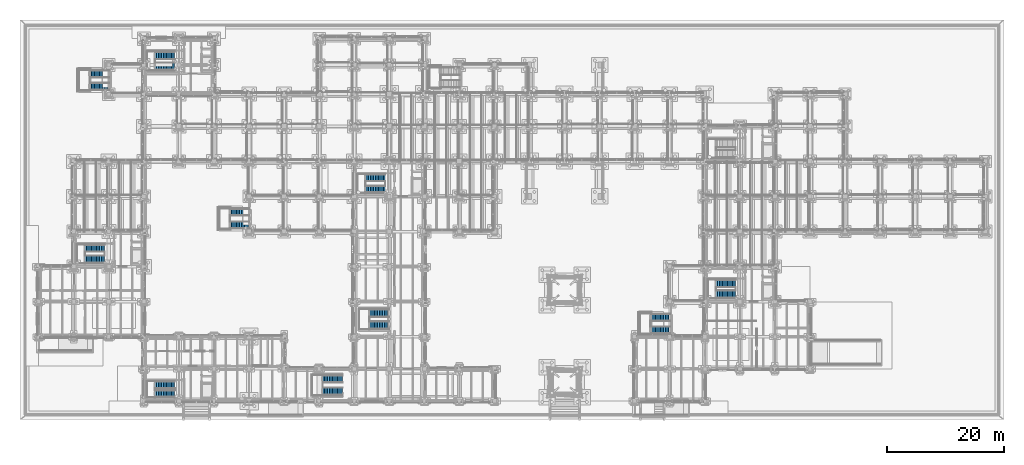
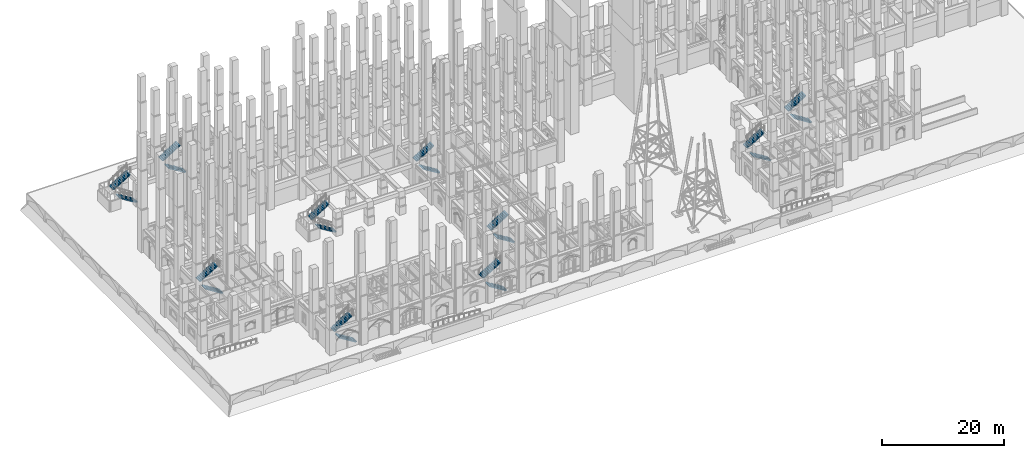
# One storey, part 69 of 135: 20 stair flights, 10 elements without a shape of their own.
"""IFC4 building model written with IfcOpenShell, lengths in metres."""

from ifc_helpers import new_model, si_unit, direction, frame, origin, place, context, subcontext, project, spatial, polyline, outline, extrude, material, type_object, element, aggregate, save


model = new_model("IFC4")

# Units and contexts
model_context = context("Model", 3, precision=1e-05, world=origin(), true_north=direction((0.0, 1.0)))
body_context = subcontext(model_context, "Body", "Model", "MODEL_VIEW")
ifc_project = project(units=[si_unit("LENGTHUNIT", "METRE"), si_unit("AREAUNIT", "SQUARE_METRE"), si_unit("VOLUMEUNIT", "CUBIC_METRE"), si_unit("PLANEANGLEUNIT", "RADIAN"), si_unit("MASSUNIT", "GRAM", prefix="KILO")], contexts=[model_context])

# Site, building, storey
site_placement = place(None, origin())
site = spatial("IfcSite", under=ifc_project, at=site_placement, CompositionType="ELEMENT")
building_placement = place(site_placement, origin())
building = spatial("IfcBuilding", under=site, at=building_placement, Name="Cumevento Cable Car Station", CompositionType="ELEMENT")
storey_placement = place(building_placement, origin())
storey = spatial("IfcBuildingStorey", under=building, at=storey_placement, Name="L01", CompositionType="ELEMENT", Elevation=0.0)

# Stair, stair flights
ifc_material_1 = material(Name="Concrete C40/50", Category="concrete")
stair_type_1 = type_object("IfcStairType", Name="Half-Turn Stair ST-T01 1260", PredefinedType="HALF_TURN_STAIR", material=ifc_material_1)
stair_1_placement = place(storey_placement, origin())
stair_1 = element("IfcStair", 1, at=stair_1_placement, inside=storey, type_object=stair_type_1, Name="Enclosed Exit Stair ST-01 (L01 to L02)", PredefinedType="HALF_TURN_STAIR")
ifc_material_2 = material(Name="Concrete C40/50", Category="concrete")
stair_flight_type_1 = type_object("IfcStairFlightType", Name="Stair Flight STF-T01 1260", PredefinedType="STRAIGHT", material=ifc_material_2)
stair_flight_1_placement = place(storey_placement, frame((63.280029296875, 40.18994140625, 0.0), z_axis=(0.0, 0.0, 1.0), x_axis=(-1.0, 0.0, 0.0)))
stair_flight_1 = element("IfcStairFlight", 2, at=stair_flight_1_placement, type_object=stair_flight_type_1, Name="ST-01-L01 Flight 1", NumberOfRisers=13, NumberOfTreads=12, PredefinedType="STRAIGHT", RiserHeight=0.173076923, TreadLength=0.28, context=body_context, shape_type="SweptSolid", body=[
    extrude(outline(polyline([(0.0, 0.0), (0.0, 0.173095703125), (0.280029296875, 0.173095703125), (0.280029296875, 0.34619140625), (0.56005859375, 0.34619140625), (0.56005859375, 0.519287109375), (0.840087890625, 0.519287109375), (0.840087890625, 0.6923828125), (1.1201171875, 0.6923828125), (1.1201171875, 0.865478515625), (1.39990234375, 0.865478515625), (1.39990234375, 1.03857421875), (1.679931640625, 1.03857421875), (1.679931640625, 1.21142578125), (1.9599609375, 1.21142578125), (1.9599609375, 1.384521484375), (2.239990234375, 1.384521484375), (2.239990234375, 1.5576171875), (2.52001953125, 1.5576171875), (2.52001953125, 1.730712890625), (2.800048828125, 1.730712890625), (2.800048828125, 1.90380859375), (3.080078125, 1.90380859375), (3.080078125, 2.076904296875), (3.360107421875, 2.076904296875), (3.360107421875, 2.25), (3.360107421875, 1.888916015625), (0.30419921875, 0.0), (0.0, 0.0)])), frame((0.0, 0.6298828125, 0.0), z_axis=(0.0, -1.0, 0.0), x_axis=(1.0, 0.0, 0.0)), (0.0, 0.0, 1.0), 1.260009765625),
])
stair_flight_2_placement = place(storey_placement, frame((59.919921875, 42.179931640625, 2.25), z_axis=(0.0, 0.0, 1.0), x_axis=(1.0, 0.0, 0.0)))
stair_flight_2 = element("IfcStairFlight", 3, at=stair_flight_2_placement, type_object=stair_flight_type_1, Name="ST-01-L01 Flight 2", NumberOfRisers=13, NumberOfTreads=12, PredefinedType="STRAIGHT", RiserHeight=0.173076923, TreadLength=0.28, context=body_context, shape_type="SweptSolid", body=[
    extrude(outline(polyline([(0.0, 0.0), (0.0, 0.173095703125), (0.280029296875, 0.173095703125), (0.280029296875, 0.34619140625), (0.56005859375, 0.34619140625), (0.56005859375, 0.519287109375), (0.840087890625, 0.519287109375), (0.840087890625, 0.6923828125), (1.1201171875, 0.6923828125), (1.1201171875, 0.865478515625), (1.39990234375, 0.865478515625), (1.39990234375, 1.03857421875), (1.679931640625, 1.03857421875), (1.679931640625, 1.21142578125), (1.9599609375, 1.21142578125), (1.9599609375, 1.384521484375), (2.239990234375, 1.384521484375), (2.239990234375, 1.5576171875), (2.52001953125, 1.5576171875), (2.52001953125, 1.730712890625), (2.800048828125, 1.730712890625), (2.800048828125, 1.90380859375), (3.080078125, 1.90380859375), (3.080078125, 2.076904296875), (3.360107421875, 2.076904296875), (3.360107421875, 2.25), (3.360107421875, 1.888916015625), (0.30419921875, 0.0), (0.0, 0.0)])), frame((0.0, 0.6298828125, 0.0), z_axis=(0.0, -1.0, 0.0), x_axis=(1.0, 0.0, 0.0)), (0.0, 0.0, 1.0), 1.260009765625),
])
aggregate(stair_1, [stair_flight_1, stair_flight_2])

stair_2_placement = place(storey_placement, origin())
stair_2 = element("IfcStair", 4, at=stair_2_placement, inside=storey, type_object=stair_type_1, Name="West Cloister Court Stepped Stone Stair L01-L02", PredefinedType="HALF_TURN_STAIR")
stair_flight_3_placement = place(storey_placement, frame((40.080078125, 34.070068359375, 0.0), z_axis=(0.0, 0.0, 1.0), x_axis=(-1.0, 0.0, 0.0)))
stair_flight_3 = element("IfcStairFlight", 5, at=stair_flight_3_placement, type_object=stair_flight_type_1, Name="ST-14 Flight 1", NumberOfRisers=13, NumberOfTreads=12, PredefinedType="STRAIGHT", RiserHeight=0.173076923, TreadLength=0.28, context=body_context, shape_type="SweptSolid", body=[
    extrude(outline(polyline([(0.0, 0.0), (0.0, 0.173095703125), (0.280029296875, 0.173095703125), (0.280029296875, 0.34619140625), (0.56005859375, 0.34619140625), (0.56005859375, 0.519287109375), (0.840087890625, 0.519287109375), (0.840087890625, 0.6923828125), (1.1201171875, 0.6923828125), (1.1201171875, 0.865478515625), (1.39990234375, 0.865478515625), (1.39990234375, 1.03857421875), (1.679931640625, 1.03857421875), (1.679931640625, 1.21142578125), (1.9599609375, 1.21142578125), (1.9599609375, 1.384521484375), (2.239990234375, 1.384521484375), (2.239990234375, 1.5576171875), (2.52001953125, 1.5576171875), (2.52001953125, 1.730712890625), (2.800048828125, 1.730712890625), (2.800048828125, 1.90380859375), (3.080078125, 1.90380859375), (3.080078125, 2.076904296875), (3.360107421875, 2.076904296875), (3.360107421875, 2.25), (3.360107421875, 1.888916015625), (0.30419921875, 0.0), (0.0, 0.0)])), frame((0.0, 0.6298828125, 0.0), z_axis=(0.0, -1.0, 0.0), x_axis=(1.0, 0.0, 0.0)), (0.0, 0.0, 1.0), 1.260009765625),
])
stair_flight_4_placement = place(storey_placement, frame((36.719970703125, 36.330078125, 2.25), z_axis=(0.0, 0.0, 1.0), x_axis=(1.0, 0.0, 0.0)))
stair_flight_4 = element("IfcStairFlight", 6, at=stair_flight_4_placement, type_object=stair_flight_type_1, Name="ST-14 Flight 2", NumberOfRisers=13, NumberOfTreads=12, PredefinedType="STRAIGHT", RiserHeight=0.173076923, TreadLength=0.28, context=body_context, shape_type="SweptSolid", body=[
    extrude(outline(polyline([(0.0, 0.0), (0.0, 0.173095703125), (0.280029296875, 0.173095703125), (0.280029296875, 0.34619140625), (0.56005859375, 0.34619140625), (0.56005859375, 0.519287109375), (0.840087890625, 0.519287109375), (0.840087890625, 0.6923828125), (1.1201171875, 0.6923828125), (1.1201171875, 0.865478515625), (1.39990234375, 0.865478515625), (1.39990234375, 1.03857421875), (1.679931640625, 1.03857421875), (1.679931640625, 1.21142578125), (1.9599609375, 1.21142578125), (1.9599609375, 1.384521484375), (2.239990234375, 1.384521484375), (2.239990234375, 1.5576171875), (2.52001953125, 1.5576171875), (2.52001953125, 1.730712890625), (2.800048828125, 1.730712890625), (2.800048828125, 1.90380859375), (3.080078125, 1.90380859375), (3.080078125, 2.076904296875), (3.360107421875, 2.076904296875), (3.360107421875, 2.25), (3.360107421875, 1.888916015625), (0.30419921875, 0.0), (0.0, 0.0)])), frame((0.0, 0.6298828125, 0.0), z_axis=(0.0, -1.0, 0.0), x_axis=(1.0, 0.0, 0.0)), (0.0, 0.0, 1.0), 1.260009765625),
])
aggregate(stair_2, [stair_flight_3, stair_flight_4])

ifc_material_3 = material(Name="Concrete C40/50", Category="concrete")
stair_type_2 = type_object("IfcStairType", Name="Half-Turn Stair ST-T02 1290", PredefinedType="HALF_TURN_STAIR", material=ifc_material_3)
stair_3_placement = place(storey_placement, origin())
stair_3 = element("IfcStair", 7, at=stair_3_placement, inside=storey, type_object=stair_type_2, Name="Enclosed Exit Stair ST-02 (L01 to L02)", PredefinedType="HALF_TURN_STAIR")
ifc_material_4 = material(Name="Concrete C40/50", Category="concrete")
stair_flight_type_2 = type_object("IfcStairFlightType", Name="Stair Flight STF-T02 1290", PredefinedType="STRAIGHT", material=ifc_material_4)
stair_flight_5_placement = place(storey_placement, frame((27.280029296875, 5.205078125, 0.0), z_axis=(0.0, 0.0, 1.0), x_axis=(-1.0, 0.0, 0.0)))
stair_flight_5 = element("IfcStairFlight", 8, at=stair_flight_5_placement, type_object=stair_flight_type_2, Name="ST-02-L01 Flight 1", NumberOfRisers=13, NumberOfTreads=12, PredefinedType="STRAIGHT", RiserHeight=0.173076923, TreadLength=0.28, context=body_context, shape_type="SweptSolid", body=[
    extrude(outline(polyline([(0.0, 0.0), (0.0, 0.173095703125), (0.280029296875, 0.173095703125), (0.280029296875, 0.34619140625), (0.56005859375, 0.34619140625), (0.56005859375, 0.519287109375), (0.840087890625, 0.519287109375), (0.840087890625, 0.6923828125), (1.1201171875, 0.6923828125), (1.1201171875, 0.865478515625), (1.39990234375, 0.865478515625), (1.39990234375, 1.03857421875), (1.679931640625, 1.03857421875), (1.679931640625, 1.21142578125), (1.9599609375, 1.21142578125), (1.9599609375, 1.384521484375), (2.239990234375, 1.384521484375), (2.239990234375, 1.5576171875), (2.52001953125, 1.5576171875), (2.52001953125, 1.730712890625), (2.800048828125, 1.730712890625), (2.800048828125, 1.90380859375), (3.080078125, 1.90380859375), (3.080078125, 2.076904296875), (3.360107421875, 2.076904296875), (3.360107421875, 2.25), (3.360107421875, 1.888916015625), (0.30419921875, 0.0), (0.0, 0.0)])), frame((0.0, 0.64501953125, 0.0), z_axis=(0.0, -1.0, 0.0), x_axis=(1.0, 0.0, 0.0)), (0.0, 0.0, 1.0), 1.2900390625),
])
stair_flight_6_placement = place(storey_placement, frame((23.919921875, 6.764892578125, 2.25), z_axis=(0.0, 0.0, 1.0), x_axis=(1.0, 0.0, 0.0)))
stair_flight_6 = element("IfcStairFlight", 9, at=stair_flight_6_placement, type_object=stair_flight_type_2, Name="ST-02-L01 Flight 2", NumberOfRisers=13, NumberOfTreads=12, PredefinedType="STRAIGHT", RiserHeight=0.173076923, TreadLength=0.28, context=body_context, shape_type="SweptSolid", body=[
    extrude(outline(polyline([(0.0, 0.0), (0.0, 0.173095703125), (0.280029296875, 0.173095703125), (0.280029296875, 0.34619140625), (0.56005859375, 0.34619140625), (0.56005859375, 0.519287109375), (0.840087890625, 0.519287109375), (0.840087890625, 0.6923828125), (1.1201171875, 0.6923828125), (1.1201171875, 0.865478515625), (1.39990234375, 0.865478515625), (1.39990234375, 1.03857421875), (1.679931640625, 1.03857421875), (1.679931640625, 1.21142578125), (1.9599609375, 1.21142578125), (1.9599609375, 1.384521484375), (2.239990234375, 1.384521484375), (2.239990234375, 1.5576171875), (2.52001953125, 1.5576171875), (2.52001953125, 1.730712890625), (2.800048828125, 1.730712890625), (2.800048828125, 1.90380859375), (3.080078125, 1.90380859375), (3.080078125, 2.076904296875), (3.360107421875, 2.076904296875), (3.360107421875, 2.25), (3.360107421875, 1.888916015625), (0.30419921875, 0.0), (0.0, 0.0)])), frame((0.0, 0.64501953125, 0.0), z_axis=(0.0, -1.0, 0.0), x_axis=(1.0, 0.0, 0.0)), (0.0, 0.0, 1.0), 1.2900390625),
])
aggregate(stair_3, [stair_flight_5, stair_flight_6])

stair_4_placement = place(storey_placement, origin())
stair_4 = element("IfcStair", 10, at=stair_4_placement, inside=storey, type_object=stair_type_2, Name="East Cloister Court Stepped Stone Stair L01-L02", PredefinedType="HALF_TURN_STAIR")
stair_flight_7_placement = place(storey_placement, frame((112.080078125, 16.0849609375, 0.0), z_axis=(0.0, 0.0, 1.0), x_axis=(-1.0, 0.0, 0.0)))
stair_flight_7 = element("IfcStairFlight", 11, at=stair_flight_7_placement, type_object=stair_flight_type_2, Name="ST-15 Flight 1", NumberOfRisers=13, NumberOfTreads=12, PredefinedType="STRAIGHT", RiserHeight=0.173076923, TreadLength=0.28, context=body_context, shape_type="SweptSolid", body=[
    extrude(outline(polyline([(0.0, 0.0), (0.0, 0.173095703125), (0.280029296875, 0.173095703125), (0.280029296875, 0.34619140625), (0.56005859375, 0.34619140625), (0.56005859375, 0.519287109375), (0.840087890625, 0.519287109375), (0.840087890625, 0.6923828125), (1.1201171875, 0.6923828125), (1.1201171875, 0.865478515625), (1.39990234375, 0.865478515625), (1.39990234375, 1.03857421875), (1.679931640625, 1.03857421875), (1.679931640625, 1.21142578125), (1.9599609375, 1.21142578125), (1.9599609375, 1.384521484375), (2.239990234375, 1.384521484375), (2.239990234375, 1.5576171875), (2.52001953125, 1.5576171875), (2.52001953125, 1.730712890625), (2.800048828125, 1.730712890625), (2.800048828125, 1.90380859375), (3.080078125, 1.90380859375), (3.080078125, 2.076904296875), (3.360107421875, 2.076904296875), (3.360107421875, 2.25), (3.360107421875, 1.888916015625), (0.30419921875, 0.0), (0.0, 0.0)])), frame((0.0, 0.64501953125, 0.0), z_axis=(0.0, -1.0, 0.0), x_axis=(1.0, 0.0, 0.0)), (0.0, 0.0, 1.0), 1.2900390625),
])
stair_flight_8_placement = place(storey_placement, frame((108.719970703125, 18.31494140625, 2.25), z_axis=(0.0, 0.0, 1.0), x_axis=(1.0, 0.0, 0.0)))
stair_flight_8 = element("IfcStairFlight", 12, at=stair_flight_8_placement, type_object=stair_flight_type_2, Name="ST-15 Flight 2", NumberOfRisers=13, NumberOfTreads=12, PredefinedType="STRAIGHT", RiserHeight=0.173076923, TreadLength=0.28, context=body_context, shape_type="SweptSolid", body=[
    extrude(outline(polyline([(0.0, 0.0), (0.0, 0.173095703125), (0.280029296875, 0.173095703125), (0.280029296875, 0.34619140625), (0.56005859375, 0.34619140625), (0.56005859375, 0.519287109375), (0.840087890625, 0.519287109375), (0.840087890625, 0.6923828125), (1.1201171875, 0.6923828125), (1.1201171875, 0.865478515625), (1.39990234375, 0.865478515625), (1.39990234375, 1.03857421875), (1.679931640625, 1.03857421875), (1.679931640625, 1.21142578125), (1.9599609375, 1.21142578125), (1.9599609375, 1.384521484375), (2.239990234375, 1.384521484375), (2.239990234375, 1.5576171875), (2.52001953125, 1.5576171875), (2.52001953125, 1.730712890625), (2.800048828125, 1.730712890625), (2.800048828125, 1.90380859375), (3.080078125, 1.90380859375), (3.080078125, 2.076904296875), (3.360107421875, 2.076904296875), (3.360107421875, 2.25), (3.360107421875, 1.888916015625), (0.30419921875, 0.0), (0.0, 0.0)])), frame((0.0, 0.64501953125, 0.0), z_axis=(0.0, -1.0, 0.0), x_axis=(1.0, 0.0, 0.0)), (0.0, 0.0, 1.0), 1.2900390625),
])
aggregate(stair_4, [stair_flight_7, stair_flight_8])

ifc_material_5 = material(Name="Concrete C40/50", Category="concrete")
stair_type_3 = type_object("IfcStairType", Name="Half-Turn Stair ST-T03 1320", PredefinedType="HALF_TURN_STAIR", material=ifc_material_5)
stair_5_placement = place(storey_placement, origin())
stair_5 = element("IfcStair", 13, at=stair_5_placement, inside=storey, type_object=stair_type_3, Name="Enclosed Exit Stair ST-03 (L01 to L02)", PredefinedType="HALF_TURN_STAIR")
ifc_material_6 = material(Name="Concrete C40/50", Category="concrete")
stair_flight_type_3 = type_object("IfcStairFlightType", Name="Stair Flight STF-T03 1320", PredefinedType="STRAIGHT", material=ifc_material_6)
stair_flight_9_placement = place(storey_placement, frame((15.280029296875, 28.219970703125, 0.0), z_axis=(0.0, 0.0, 1.0), x_axis=(-1.0, 0.0, 0.0)))
stair_flight_9 = element("IfcStairFlight", 14, at=stair_flight_9_placement, type_object=stair_flight_type_3, Name="ST-03-L01 Flight 1", NumberOfRisers=13, NumberOfTreads=12, PredefinedType="STRAIGHT", RiserHeight=0.173076923, TreadLength=0.28, context=body_context, shape_type="SweptSolid", body=[
    extrude(outline(polyline([(0.0, 0.0), (0.0, 0.173095703125), (0.280029296875, 0.173095703125), (0.280029296875, 0.34619140625), (0.56005859375, 0.34619140625), (0.56005859375, 0.519287109375), (0.840087890625, 0.519287109375), (0.840087890625, 0.6923828125), (1.1201171875, 0.6923828125), (1.1201171875, 0.865478515625), (1.39990234375, 0.865478515625), (1.39990234375, 1.03857421875), (1.679931640625, 1.03857421875), (1.679931640625, 1.21142578125), (1.9599609375, 1.21142578125), (1.9599609375, 1.384521484375), (2.239990234375, 1.384521484375), (2.239990234375, 1.5576171875), (2.52001953125, 1.5576171875), (2.52001953125, 1.730712890625), (2.800048828125, 1.730712890625), (2.800048828125, 1.90380859375), (3.080078125, 1.90380859375), (3.080078125, 2.076904296875), (3.360107421875, 2.076904296875), (3.360107421875, 2.25), (3.360107421875, 1.888916015625), (0.30419921875, 0.0), (0.0, 0.0)])), frame((0.0, 0.66015625, 0.0), z_axis=(0.0, -1.0, 0.0), x_axis=(1.0, 0.0, 0.0)), (0.0, 0.0, 1.0), 1.320068359375),
])
stair_flight_10_placement = place(storey_placement, frame((11.919921875, 30.14990234375, 2.25), z_axis=(0.0, 0.0, 1.0), x_axis=(1.0, 0.0, 0.0)))
stair_flight_10 = element("IfcStairFlight", 15, at=stair_flight_10_placement, type_object=stair_flight_type_3, Name="ST-03-L01 Flight 2", NumberOfRisers=13, NumberOfTreads=12, PredefinedType="STRAIGHT", RiserHeight=0.173076923, TreadLength=0.28, context=body_context, shape_type="SweptSolid", body=[
    extrude(outline(polyline([(0.0, 0.0), (0.0, 0.173095703125), (0.280029296875, 0.173095703125), (0.280029296875, 0.34619140625), (0.56005859375, 0.34619140625), (0.56005859375, 0.519287109375), (0.840087890625, 0.519287109375), (0.840087890625, 0.6923828125), (1.1201171875, 0.6923828125), (1.1201171875, 0.865478515625), (1.39990234375, 0.865478515625), (1.39990234375, 1.03857421875), (1.679931640625, 1.03857421875), (1.679931640625, 1.21142578125), (1.9599609375, 1.21142578125), (1.9599609375, 1.384521484375), (2.239990234375, 1.384521484375), (2.239990234375, 1.5576171875), (2.52001953125, 1.5576171875), (2.52001953125, 1.730712890625), (2.800048828125, 1.730712890625), (2.800048828125, 1.90380859375), (3.080078125, 1.90380859375), (3.080078125, 2.076904296875), (3.360107421875, 2.076904296875), (3.360107421875, 2.25), (3.360107421875, 1.888916015625), (0.30419921875, 0.0), (0.0, 0.0)])), frame((0.0, 0.66015625, 0.0), z_axis=(0.0, -1.0, 0.0), x_axis=(1.0, 0.0, 0.0)), (0.0, 0.0, 1.0), 1.320068359375),
])
aggregate(stair_5, [stair_flight_9, stair_flight_10])

stair_6_placement = place(storey_placement, origin())
stair_6 = element("IfcStair", 16, at=stair_6_placement, inside=storey, type_object=stair_type_3, Name="NW Hillside Trailhead Plinth Stone Stair L01-L02", PredefinedType="HALF_TURN_STAIR")
stair_flight_11_placement = place(storey_placement, frame((16.080078125, 57.800048828125, 0.0), z_axis=(0.0, 0.0, 1.0), x_axis=(-1.0, 0.0, 0.0)))
stair_flight_11 = element("IfcStairFlight", 17, at=stair_flight_11_placement, type_object=stair_flight_type_3, Name="ST-16 Flight 1", NumberOfRisers=13, NumberOfTreads=12, PredefinedType="STRAIGHT", RiserHeight=0.173076923, TreadLength=0.28, context=body_context, shape_type="SweptSolid", body=[
    extrude(outline(polyline([(0.0, 0.0), (0.0, 0.173095703125), (0.280029296875, 0.173095703125), (0.280029296875, 0.34619140625), (0.56005859375, 0.34619140625), (0.56005859375, 0.519287109375), (0.840087890625, 0.519287109375), (0.840087890625, 0.6923828125), (1.1201171875, 0.6923828125), (1.1201171875, 0.865478515625), (1.39990234375, 0.865478515625), (1.39990234375, 1.03857421875), (1.679931640625, 1.03857421875), (1.679931640625, 1.21142578125), (1.9599609375, 1.21142578125), (1.9599609375, 1.384521484375), (2.239990234375, 1.384521484375), (2.239990234375, 1.5576171875), (2.52001953125, 1.5576171875), (2.52001953125, 1.730712890625), (2.800048828125, 1.730712890625), (2.800048828125, 1.90380859375), (3.080078125, 1.90380859375), (3.080078125, 2.076904296875), (3.360107421875, 2.076904296875), (3.360107421875, 2.25), (3.360107421875, 1.888916015625), (0.30419921875, 0.0), (0.0, 0.0)])), frame((0.0, 0.66015625, 0.0), z_axis=(0.0, -1.0, 0.0), x_axis=(1.0, 0.0, 0.0)), (0.0, 0.0, 1.0), 1.320068359375),
])
stair_flight_12_placement = place(storey_placement, frame((12.719970703125, 60.0, 2.25), z_axis=(0.0, 0.0, 1.0), x_axis=(1.0, 0.0, 0.0)))
stair_flight_12 = element("IfcStairFlight", 18, at=stair_flight_12_placement, type_object=stair_flight_type_3, Name="ST-16 Flight 2", NumberOfRisers=13, NumberOfTreads=12, PredefinedType="STRAIGHT", RiserHeight=0.173076923, TreadLength=0.28, context=body_context, shape_type="SweptSolid", body=[
    extrude(outline(polyline([(0.0, 0.0), (0.0, 0.173095703125), (0.280029296875, 0.173095703125), (0.280029296875, 0.34619140625), (0.56005859375, 0.34619140625), (0.56005859375, 0.519287109375), (0.840087890625, 0.519287109375), (0.840087890625, 0.6923828125), (1.1201171875, 0.6923828125), (1.1201171875, 0.865478515625), (1.39990234375, 0.865478515625), (1.39990234375, 1.03857421875), (1.679931640625, 1.03857421875), (1.679931640625, 1.21142578125), (1.9599609375, 1.21142578125), (1.9599609375, 1.384521484375), (2.239990234375, 1.384521484375), (2.239990234375, 1.5576171875), (2.52001953125, 1.5576171875), (2.52001953125, 1.730712890625), (2.800048828125, 1.730712890625), (2.800048828125, 1.90380859375), (3.080078125, 1.90380859375), (3.080078125, 2.076904296875), (3.360107421875, 2.076904296875), (3.360107421875, 2.25), (3.360107421875, 1.888916015625), (0.30419921875, 0.0), (0.0, 0.0)])), frame((0.0, 0.66015625, 0.0), z_axis=(0.0, -1.0, 0.0), x_axis=(1.0, 0.0, 0.0)), (0.0, 0.0, 1.0), 1.320068359375),
])
aggregate(stair_6, [stair_flight_11, stair_flight_12])

ifc_material_7 = material(Name="Concrete C40/50", Category="concrete")
stair_type_4 = type_object("IfcStairType", Name="Half-Turn Stair ST-T04 1350", PredefinedType="HALF_TURN_STAIR", material=ifc_material_7)
stair_7_placement = place(storey_placement, origin())
stair_7 = element("IfcStair", 19, at=stair_7_placement, inside=storey, type_object=stair_type_4, Name="Enclosed Exit Stair ST-04 (L01 to L02)", PredefinedType="HALF_TURN_STAIR")
ifc_material_8 = material(Name="Concrete C40/50", Category="concrete")
stair_flight_type_4 = type_object("IfcStairFlightType", Name="Stair Flight STF-T04 1350", PredefinedType="STRAIGHT", material=ifc_material_8)
stair_flight_13_placement = place(storey_placement, frame((27.280029296875, 61.235107421875, 0.0), z_axis=(0.0, 0.0, 1.0), x_axis=(-1.0, 0.0, 0.0)))
stair_flight_13 = element("IfcStairFlight", 20, at=stair_flight_13_placement, type_object=stair_flight_type_4, Name="ST-04-L01 Flight 1", NumberOfRisers=13, NumberOfTreads=12, PredefinedType="STRAIGHT", RiserHeight=0.173076923, TreadLength=0.28, context=body_context, shape_type="SweptSolid", body=[
    extrude(outline(polyline([(0.0, 0.0), (0.0, 0.173095703125), (0.280029296875, 0.173095703125), (0.280029296875, 0.34619140625), (0.56005859375, 0.34619140625), (0.56005859375, 0.519287109375), (0.840087890625, 0.519287109375), (0.840087890625, 0.6923828125), (1.1201171875, 0.6923828125), (1.1201171875, 0.865478515625), (1.39990234375, 0.865478515625), (1.39990234375, 1.03857421875), (1.679931640625, 1.03857421875), (1.679931640625, 1.21142578125), (1.9599609375, 1.21142578125), (1.9599609375, 1.384521484375), (2.239990234375, 1.384521484375), (2.239990234375, 1.5576171875), (2.52001953125, 1.5576171875), (2.52001953125, 1.730712890625), (2.800048828125, 1.730712890625), (2.800048828125, 1.90380859375), (3.080078125, 1.90380859375), (3.080078125, 2.076904296875), (3.360107421875, 2.076904296875), (3.360107421875, 2.25), (3.360107421875, 1.888916015625), (0.30419921875, 0.0), (0.0, 0.0)])), frame((0.0, 0.675048828125, 0.0), z_axis=(0.0, -1.0, 0.0), x_axis=(1.0, 0.0, 0.0)), (0.0, 0.0, 1.0), 1.35009765625),
])
stair_flight_14_placement = place(storey_placement, frame((23.919921875, 63.135009765625, 2.25), z_axis=(0.0, 0.0, 1.0), x_axis=(1.0, 0.0, 0.0)))
stair_flight_14 = element("IfcStairFlight", 21, at=stair_flight_14_placement, type_object=stair_flight_type_4, Name="ST-04-L01 Flight 2", NumberOfRisers=13, NumberOfTreads=12, PredefinedType="STRAIGHT", RiserHeight=0.173076923, TreadLength=0.28, context=body_context, shape_type="SweptSolid", body=[
    extrude(outline(polyline([(0.0, 0.0), (0.0, 0.173095703125), (0.280029296875, 0.173095703125), (0.280029296875, 0.34619140625), (0.56005859375, 0.34619140625), (0.56005859375, 0.519287109375), (0.840087890625, 0.519287109375), (0.840087890625, 0.6923828125), (1.1201171875, 0.6923828125), (1.1201171875, 0.865478515625), (1.39990234375, 0.865478515625), (1.39990234375, 1.03857421875), (1.679931640625, 1.03857421875), (1.679931640625, 1.21142578125), (1.9599609375, 1.21142578125), (1.9599609375, 1.384521484375), (2.239990234375, 1.384521484375), (2.239990234375, 1.5576171875), (2.52001953125, 1.5576171875), (2.52001953125, 1.730712890625), (2.800048828125, 1.730712890625), (2.800048828125, 1.90380859375), (3.080078125, 1.90380859375), (3.080078125, 2.076904296875), (3.360107421875, 2.076904296875), (3.360107421875, 2.25), (3.360107421875, 1.888916015625), (0.30419921875, 0.0), (0.0, 0.0)])), frame((0.0, 0.675048828125, 0.0), z_axis=(0.0, -1.0, 0.0), x_axis=(1.0, 0.0, 0.0)), (0.0, 0.0, 1.0), 1.35009765625),
])
aggregate(stair_7, [stair_flight_13, stair_flight_14])

stair_8_placement = place(storey_placement, origin())
stair_8 = element("IfcStair", 22, at=stair_8_placement, inside=storey, type_object=stair_type_4, Name="Ticket Concourse Monumental Stair L01-L02", PredefinedType="HALF_TURN_STAIR")
stair_flight_15_placement = place(storey_placement, frame((55.97998046875, 5.614990234375, 0.0), z_axis=(0.0, 0.0, 1.0), x_axis=(-1.0, 0.0, 0.0)))
stair_flight_15 = element("IfcStairFlight", 23, at=stair_flight_15_placement, type_object=stair_flight_type_4, Name="ST-07 Flight 1", NumberOfRisers=13, NumberOfTreads=12, PredefinedType="STRAIGHT", RiserHeight=0.173076923, TreadLength=0.28, context=body_context, shape_type="SweptSolid", body=[
    extrude(outline(polyline([(0.0, 0.0), (0.0, 0.173095703125), (0.280029296875, 0.173095703125), (0.280029296875, 0.34619140625), (0.56005859375, 0.34619140625), (0.56005859375, 0.519287109375), (0.840087890625, 0.519287109375), (0.840087890625, 0.6923828125), (1.1201171875, 0.6923828125), (1.1201171875, 0.865478515625), (1.39990234375, 0.865478515625), (1.39990234375, 1.03857421875), (1.679931640625, 1.03857421875), (1.679931640625, 1.21142578125), (1.9599609375, 1.21142578125), (1.9599609375, 1.384521484375), (2.239990234375, 1.384521484375), (2.239990234375, 1.5576171875), (2.52001953125, 1.5576171875), (2.52001953125, 1.730712890625), (2.800048828125, 1.730712890625), (2.800048828125, 1.90380859375), (3.080078125, 1.90380859375), (3.080078125, 2.076904296875), (3.360107421875, 2.076904296875), (3.360107421875, 2.25), (3.360107421875, 1.888916015625), (0.30419921875, 0.0), (0.0, 0.0)])), frame((0.0, 0.675048828125, 0.0), z_axis=(0.0, -1.0, 0.0), x_axis=(1.0, 0.0, 0.0)), (0.0, 0.0, 1.0), 1.35009765625),
])
stair_flight_16_placement = place(storey_placement, frame((52.6201171875, 7.784912109375, 2.25), z_axis=(0.0, 0.0, 1.0), x_axis=(1.0, 0.0, 0.0)))
stair_flight_16 = element("IfcStairFlight", 24, at=stair_flight_16_placement, type_object=stair_flight_type_4, Name="ST-07 Flight 2", NumberOfRisers=13, NumberOfTreads=12, PredefinedType="STRAIGHT", RiserHeight=0.173076923, TreadLength=0.28, context=body_context, shape_type="SweptSolid", body=[
    extrude(outline(polyline([(0.0, 0.0), (0.0, 0.173095703125), (0.280029296875, 0.173095703125), (0.280029296875, 0.34619140625), (0.56005859375, 0.34619140625), (0.56005859375, 0.519287109375), (0.840087890625, 0.519287109375), (0.840087890625, 0.6923828125), (1.1201171875, 0.6923828125), (1.1201171875, 0.865478515625), (1.39990234375, 0.865478515625), (1.39990234375, 1.03857421875), (1.679931640625, 1.03857421875), (1.679931640625, 1.21142578125), (1.9599609375, 1.21142578125), (1.9599609375, 1.384521484375), (2.239990234375, 1.384521484375), (2.239990234375, 1.5576171875), (2.52001953125, 1.5576171875), (2.52001953125, 1.730712890625), (2.800048828125, 1.730712890625), (2.800048828125, 1.90380859375), (3.080078125, 1.90380859375), (3.080078125, 2.076904296875), (3.360107421875, 2.076904296875), (3.360107421875, 2.25), (3.360107421875, 1.888916015625), (0.30419921875, 0.0), (0.0, 0.0)])), frame((0.0, 0.675048828125, 0.0), z_axis=(0.0, -1.0, 0.0), x_axis=(1.0, 0.0, 0.0)), (0.0, 0.0, 1.0), 1.35009765625),
])
aggregate(stair_8, [stair_flight_15, stair_flight_16])

ifc_material_9 = material(Name="Concrete C40/50", Category="concrete")
stair_type_5 = type_object("IfcStairType", Name="Half-Turn Stair ST-T05 1380", PredefinedType="HALF_TURN_STAIR", material=ifc_material_9)
stair_9_placement = place(storey_placement, origin())
stair_9 = element("IfcStair", 25, at=stair_9_placement, inside=storey, type_object=stair_type_5, Name="Enclosed Exit Stair ST-05 (L01 to L02)", PredefinedType="HALF_TURN_STAIR")
ifc_material_10 = material(Name="Concrete C40/50", Category="concrete")
stair_flight_type_5 = type_object("IfcStairFlightType", Name="Stair Flight STF-T05 1380", PredefinedType="STRAIGHT", material=ifc_material_10)
stair_flight_17_placement = place(storey_placement, frame((123.280029296875, 22.25, 0.0), z_axis=(0.0, 0.0, 1.0), x_axis=(-1.0, 0.0, 0.0)))
stair_flight_17 = element("IfcStairFlight", 26, at=stair_flight_17_placement, type_object=stair_flight_type_5, Name="ST-05-L01 Flight 1", NumberOfRisers=13, NumberOfTreads=12, PredefinedType="STRAIGHT", RiserHeight=0.173076923, TreadLength=0.28, context=body_context, shape_type="SweptSolid", body=[
    extrude(outline(polyline([(0.0, 0.0), (0.0, 0.173095703125), (0.280029296875, 0.173095703125), (0.280029296875, 0.34619140625), (0.56005859375, 0.34619140625), (0.56005859375, 0.519287109375), (0.840087890625, 0.519287109375), (0.840087890625, 0.6923828125), (1.1201171875, 0.6923828125), (1.1201171875, 0.865478515625), (1.39990234375, 0.865478515625), (1.39990234375, 1.03857421875), (1.679931640625, 1.03857421875), (1.679931640625, 1.21142578125), (1.9599609375, 1.21142578125), (1.9599609375, 1.384521484375), (2.239990234375, 1.384521484375), (2.239990234375, 1.5576171875), (2.52001953125, 1.5576171875), (2.52001953125, 1.730712890625), (2.800048828125, 1.730712890625), (2.800048828125, 1.90380859375), (3.080078125, 1.90380859375), (3.080078125, 2.076904296875), (3.360107421875, 2.076904296875), (3.360107421875, 2.25), (3.360107421875, 1.888916015625), (0.30419921875, 0.0), (0.0, 0.0)])), frame((0.0, 0.68994140625, 0.0), z_axis=(0.0, -1.0, 0.0), x_axis=(1.0, 0.0, 0.0)), (0.0, 0.0, 1.0), 1.3798828125),
])
stair_flight_18_placement = place(storey_placement, frame((119.919921875, 24.1201171875, 2.25), z_axis=(0.0, 0.0, 1.0), x_axis=(1.0, 0.0, 0.0)))
stair_flight_18 = element("IfcStairFlight", 27, at=stair_flight_18_placement, type_object=stair_flight_type_5, Name="ST-05-L01 Flight 2", NumberOfRisers=13, NumberOfTreads=12, PredefinedType="STRAIGHT", RiserHeight=0.173076923, TreadLength=0.28, context=body_context, shape_type="SweptSolid", body=[
    extrude(outline(polyline([(0.0, 0.0), (0.0, 0.173095703125), (0.280029296875, 0.173095703125), (0.280029296875, 0.34619140625), (0.56005859375, 0.34619140625), (0.56005859375, 0.519287109375), (0.840087890625, 0.519287109375), (0.840087890625, 0.6923828125), (1.1201171875, 0.6923828125), (1.1201171875, 0.865478515625), (1.39990234375, 0.865478515625), (1.39990234375, 1.03857421875), (1.679931640625, 1.03857421875), (1.679931640625, 1.21142578125), (1.9599609375, 1.21142578125), (1.9599609375, 1.384521484375), (2.239990234375, 1.384521484375), (2.239990234375, 1.5576171875), (2.52001953125, 1.5576171875), (2.52001953125, 1.730712890625), (2.800048828125, 1.730712890625), (2.800048828125, 1.90380859375), (3.080078125, 1.90380859375), (3.080078125, 2.076904296875), (3.360107421875, 2.076904296875), (3.360107421875, 2.25), (3.360107421875, 1.888916015625), (0.30419921875, 0.0), (0.0, 0.0)])), frame((0.0, 0.68994140625, 0.0), z_axis=(0.0, -1.0, 0.0), x_axis=(1.0, 0.0, 0.0)), (0.0, 0.0, 1.0), 1.3798828125),
])
aggregate(stair_9, [stair_flight_17, stair_flight_18])

ifc_material_11 = material(Name="Concrete C40/50", Category="concrete")
stair_type_6 = type_object("IfcStairType", Name="Half-Turn Stair ST-T06 1410", PredefinedType="HALF_TURN_STAIR", material=ifc_material_11)
stair_10_placement = place(storey_placement, origin())
stair_10 = element("IfcStair", 28, at=stair_10_placement, inside=storey, type_object=stair_type_6, Name="Cloister Spine Gallery Stair L01-L02", PredefinedType="HALF_TURN_STAIR")
ifc_material_12 = material(Name="Concrete C40/50", Category="concrete")
stair_flight_type_6 = type_object("IfcStairFlightType", Name="Stair Flight STF-T06 1410", PredefinedType="STRAIGHT", material=ifc_material_12)
stair_flight_19_placement = place(storey_placement, frame((63.97998046875, 16.945068359375, 0.0), z_axis=(0.0, 0.0, 1.0), x_axis=(-1.0, 0.0, 0.0)))
stair_flight_19 = element("IfcStairFlight", 29, at=stair_flight_19_placement, type_object=stair_flight_type_6, Name="ST-09 Flight 1", NumberOfRisers=13, NumberOfTreads=12, PredefinedType="STRAIGHT", RiserHeight=0.173076923, TreadLength=0.28, context=body_context, shape_type="SweptSolid", body=[
    extrude(outline(polyline([(0.0, 0.0), (0.0, 0.173095703125), (0.280029296875, 0.173095703125), (0.280029296875, 0.34619140625), (0.56005859375, 0.34619140625), (0.56005859375, 0.519287109375), (0.840087890625, 0.519287109375), (0.840087890625, 0.6923828125), (1.1201171875, 0.6923828125), (1.1201171875, 0.865478515625), (1.39990234375, 0.865478515625), (1.39990234375, 1.03857421875), (1.679931640625, 1.03857421875), (1.679931640625, 1.21142578125), (1.9599609375, 1.21142578125), (1.9599609375, 1.384521484375), (2.239990234375, 1.384521484375), (2.239990234375, 1.5576171875), (2.52001953125, 1.5576171875), (2.52001953125, 1.730712890625), (2.800048828125, 1.730712890625), (2.800048828125, 1.90380859375), (3.080078125, 1.90380859375), (3.080078125, 2.076904296875), (3.360107421875, 2.076904296875), (3.360107421875, 2.25), (3.360107421875, 1.888916015625), (0.30419921875, 0.0), (0.0, 0.0)])), frame((0.0, 0.705078125, 0.0), z_axis=(0.0, -1.0, 0.0), x_axis=(1.0, 0.0, 0.0)), (0.0, 0.0, 1.0), 1.409912109375),
])
stair_flight_20_placement = place(storey_placement, frame((60.6201171875, 19.054931640625, 2.25), z_axis=(0.0, 0.0, 1.0), x_axis=(1.0, 0.0, 0.0)))
stair_flight_20 = element("IfcStairFlight", 30, at=stair_flight_20_placement, type_object=stair_flight_type_6, Name="ST-09 Flight 2", NumberOfRisers=13, NumberOfTreads=12, PredefinedType="STRAIGHT", RiserHeight=0.173076923, TreadLength=0.28, context=body_context, shape_type="SweptSolid", body=[
    extrude(outline(polyline([(0.0, 0.0), (0.0, 0.173095703125), (0.280029296875, 0.173095703125), (0.280029296875, 0.34619140625), (0.56005859375, 0.34619140625), (0.56005859375, 0.519287109375), (0.840087890625, 0.519287109375), (0.840087890625, 0.6923828125), (1.1201171875, 0.6923828125), (1.1201171875, 0.865478515625), (1.39990234375, 0.865478515625), (1.39990234375, 1.03857421875), (1.679931640625, 1.03857421875), (1.679931640625, 1.21142578125), (1.9599609375, 1.21142578125), (1.9599609375, 1.384521484375), (2.239990234375, 1.384521484375), (2.239990234375, 1.5576171875), (2.52001953125, 1.5576171875), (2.52001953125, 1.730712890625), (2.800048828125, 1.730712890625), (2.800048828125, 1.90380859375), (3.080078125, 1.90380859375), (3.080078125, 2.076904296875), (3.360107421875, 2.076904296875), (3.360107421875, 2.25), (3.360107421875, 1.888916015625), (0.30419921875, 0.0), (0.0, 0.0)])), frame((0.0, 0.705078125, 0.0), z_axis=(0.0, -1.0, 0.0), x_axis=(1.0, 0.0, 0.0)), (0.0, 0.0, 1.0), 1.409912109375),
])
aggregate(stair_10, [stair_flight_19, stair_flight_20])

save(model, "model.ifc")
